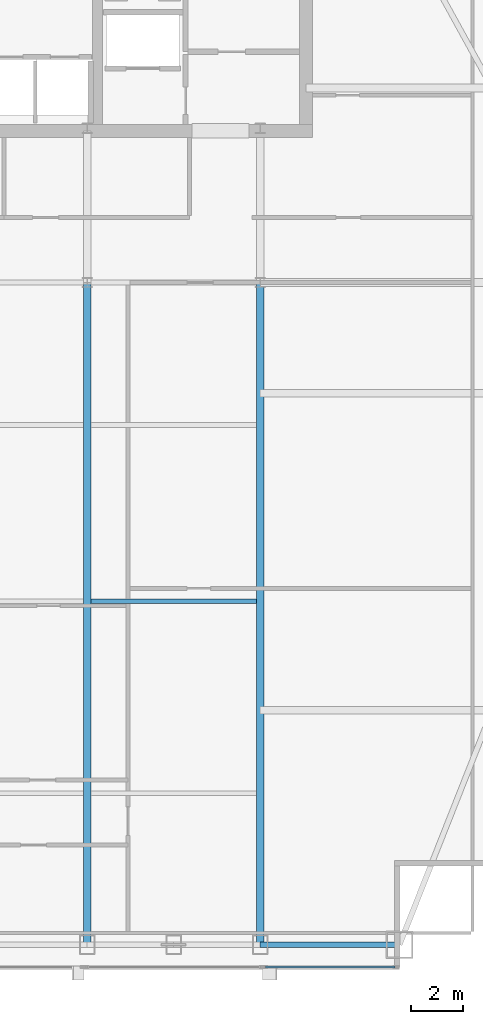
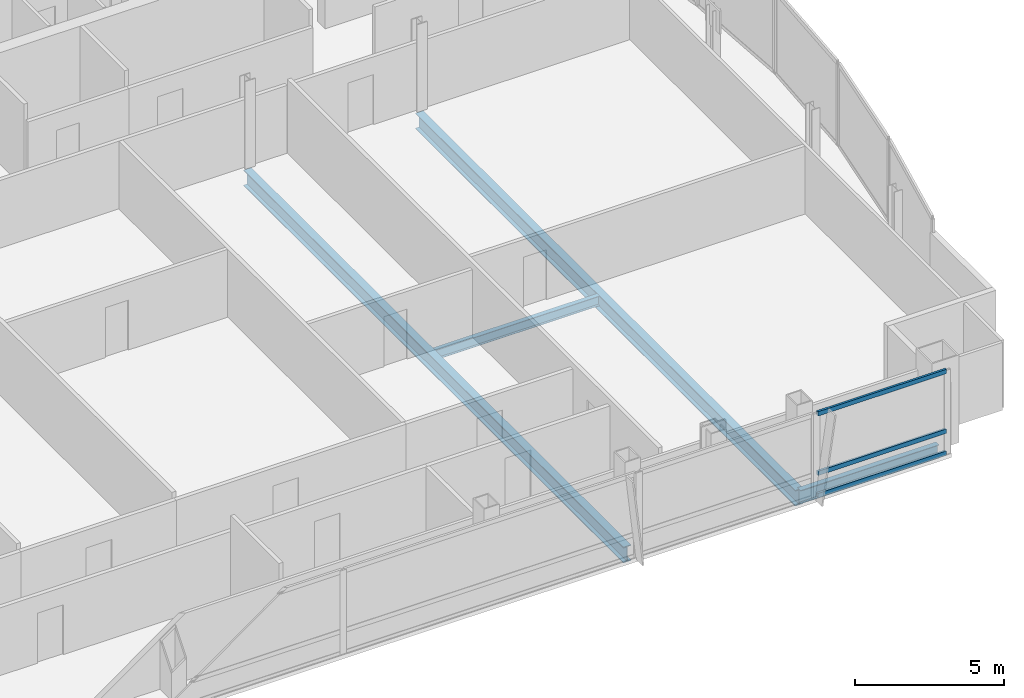
# One storey, part 15 of 30: 4 beams, 3 members, 1 element without a shape of its own.
"""IFC4 building model written with IfcOpenShell, lengths in metres."""

from ifc_helpers import new_model, si_unit, direction, frame, origin, origin_2d, place, context, subcontext, project, spatial, hollow_rectangle, i_section, extrude, material, material_profile, profile_set, type_object, element, aggregate, save


model = new_model("IFC4")

# Units and contexts
model_context = context("Model", 3, precision=1e-05, world=origin(), true_north=direction((0.0, 1.0)))
body_context = subcontext(model_context, "Body", "Model", "MODEL_VIEW")
ifc_project = project(units=[si_unit("LENGTHUNIT", "METRE"), si_unit("AREAUNIT", "SQUARE_METRE"), si_unit("VOLUMEUNIT", "CUBIC_METRE"), si_unit("PLANEANGLEUNIT", "RADIAN"), si_unit("MASSUNIT", "GRAM", prefix="KILO")], contexts=[model_context])

# Site, building, storey
site_placement = place(None, origin())
site = spatial("IfcSite", under=ifc_project, at=site_placement, CompositionType="ELEMENT")
building_placement = place(site_placement, origin())
building = spatial("IfcBuilding", under=site, at=building_placement, Name="Khoronbel Lancet Exchange", CompositionType="ELEMENT")
storey_placement = place(building_placement, frame((0.0, 0.0, 269.800048828125)))
storey = spatial("IfcBuildingStorey", under=building, at=storey_placement, Name="L69", CompositionType="ELEMENT", Elevation=269.800048828125)

# Beams
ifc_material_1 = material(Name="Steel S355", Category="steel")
ifc_material_profile_1 = material_profile(ifc_material_1, i_section(OverallWidth=0.300048828125, OverallDepth=0.64990234375, WebThickness=0.01611328125, FlangeThickness=0.031005859375, at=origin_2d()), Name="HEB 650")
ifc_profile_set_1 = profile_set([ifc_material_profile_1], Name="Steel S355")
beam_type_1 = type_object("IfcBeamType", Name="BM-BG4", PredefinedType="BEAM", material=ifc_profile_set_1)
for number, where, z_axis, x_axis, name in (
    (1, (48.0, 10.14990234375, -0.485107421875), (0.0, 1.0, 0.0), (-1.0, 0.0, 0.0), "Level L69 south primary girder GS5"),
    (2, (54.675048828125, 10.14990234375, -0.485107421875), (0.0, 1.0, 0.0), (-1.0, 0.0, 0.0), "Level L69 south primary girder GS6"),
):
    element("IfcBeam", number, at=place(storey_placement, frame(where, z_axis=z_axis, x_axis=x_axis)), inside=storey, type_object=beam_type_1, Name=name, PredefinedType="BEAM", context=body_context, shape_type="SweptSolid", body=[
        extrude(i_section(OverallWidth=0.300048828125, OverallDepth=0.64990234375, WebThickness=0.01611328125, FlangeThickness=0.031005859375, at=origin_2d()), origin(), (0.0, 0.0, 1.0), 25.550048828125),
    ])
ifc_material_profile_2 = material_profile(ifc_material_1, i_section(OverallWidth=0.179931640625, OverallDepth=0.39990234375, WebThickness=0.008544921875, FlangeThickness=0.013427734375, at=origin_2d()), Name="IPE 400")
ifc_profile_set_2 = profile_set([ifc_material_profile_2], Name="Steel S355")
beam_type_2 = type_object("IfcBeamType", Name="BM-BJ5", PredefinedType="JOIST", material=ifc_profile_set_2)
beam_1_placement = place(storey_placement, frame((48.14990234375, 23.39990234375, -0.360107421875), z_axis=(1.0, 0.0, 0.0), x_axis=(0.0, 1.0, 0.0)))
element("IfcBeam", 3, at=beam_1_placement, inside=storey, type_object=beam_type_2, Name="Level L69 secondary composite joist J10", PredefinedType="JOIST", context=body_context, shape_type="SweptSolid", body=[
    extrude(i_section(OverallWidth=0.179931640625, OverallDepth=0.39990234375, WebThickness=0.008544921875, FlangeThickness=0.013427734375, at=origin_2d()), origin(), (0.0, 0.0, 1.0), 6.375),
])
ifc_material_profile_3 = material_profile(ifc_material_1, i_section(OverallWidth=0.2099609375, OverallDepth=0.550048828125, WebThickness=0.010986328125, FlangeThickness=0.01708984375, at=origin_2d()), Name="IPE 550")
ifc_profile_set_3 = profile_set([ifc_material_profile_3], Name="Steel S355")
beam_type_3 = type_object("IfcBeamType", Name="BM-BSP3", PredefinedType="SPANDREL", material=ifc_profile_set_3)
beam_2_placement = place(storey_placement, frame((54.675048828125, 10.14990234375, -0.43505859375), z_axis=(1.0, 0.0, 0.0), x_axis=(0.0, 1.0, 0.0)))
element("IfcBeam", 4, at=beam_2_placement, inside=storey, type_object=beam_type_3, Name="Level L69 perimeter spandrel beam SP09", PredefinedType="SPANDREL", context=body_context, shape_type="SweptSolid", body=[
    extrude(i_section(OverallWidth=0.2099609375, OverallDepth=0.550048828125, WebThickness=0.010986328125, FlangeThickness=0.01708984375, at=origin_2d()), origin(), (0.0, 0.0, 1.0), 5.375),
])

# Curtain wall, members
ifc_material_2 = material(Name="Low-E Solar Control Insulating Glass", Category="glass")
curtain_wall_type = type_object("IfcCurtainWallType", Name="CW-3", PredefinedType="NOTDEFINED", material=ifc_material_2)
curtain_wall_placement = place(storey_placement, origin())
curtain_wall = element("IfcCurtainWall", 5, at=curtain_wall_placement, inside=storey, type_object=curtain_wall_type, Name="Unitised curtain wall CW-L69-SEV", PredefinedType="NOTDEFINED")
ifc_material_3 = material(Name="Bronze-Anodised Aluminium 6063-T6", Category="aluminium")
ifc_material_profile_4 = material_profile(ifc_material_3, hollow_rectangle(XDim=0.0849609375, YDim=0.179931640625, WallThickness=0.0048828125, at=origin_2d()), Name="ALU TRANSOM 85x180")
ifc_profile_set_4 = profile_set([ifc_material_profile_4], Name="Bronze-Anodised Aluminium 6063-T6")
member_type = type_object("IfcMemberType", Name="MEM-CWT1", PredefinedType="USERDEFINED", material=ifc_profile_set_4)
member_1_placement = place(storey_placement, frame((54.885009765625, 9.2900390625, 0.04248046875), z_axis=(1.0, 0.0, 0.0), x_axis=(0.0, 1.0, 0.0)))
member_1 = element("IfcMember", 6, at=member_1_placement, type_object=member_type, Name="CW3 transom 1.1", ObjectType="TRANSOM", PredefinedType="USERDEFINED", context=body_context, shape_type="SweptSolid", body=[
    extrude(hollow_rectangle(XDim=0.0849609375, YDim=0.179931640625, WallThickness=0.0048828125, at=origin_2d()), origin(), (0.0, 0.0, 1.0), 4.989990234375),
])
member_2_placement = place(storey_placement, frame((54.885009765625, 9.2900390625, 0.949951171875), z_axis=(1.0, 0.0, 0.0), x_axis=(0.0, 1.0, 0.0)))
member_2 = element("IfcMember", 7, at=member_2_placement, type_object=member_type, Name="CW3 transom 1.2", ObjectType="TRANSOM", PredefinedType="USERDEFINED", context=body_context, shape_type="SweptSolid", body=[
    extrude(hollow_rectangle(XDim=0.0849609375, YDim=0.179931640625, WallThickness=0.0048828125, at=origin_2d()), origin(), (0.0, 0.0, 1.0), 4.989990234375),
])
member_3_placement = place(storey_placement, frame((54.885009765625, 9.2900390625, 3.3974609375), z_axis=(1.0, 0.0, 0.0), x_axis=(0.0, 1.0, 0.0)))
member_3 = element("IfcMember", 8, at=member_3_placement, type_object=member_type, Name="CW3 transom 1.3", ObjectType="TRANSOM", PredefinedType="USERDEFINED", context=body_context, shape_type="SweptSolid", body=[
    extrude(hollow_rectangle(XDim=0.0849609375, YDim=0.179931640625, WallThickness=0.0048828125, at=origin_2d()), origin(), (0.0, 0.0, 1.0), 4.989990234375),
])
aggregate(curtain_wall, [member_1, member_2, member_3])

save(model, "model.ifc")
